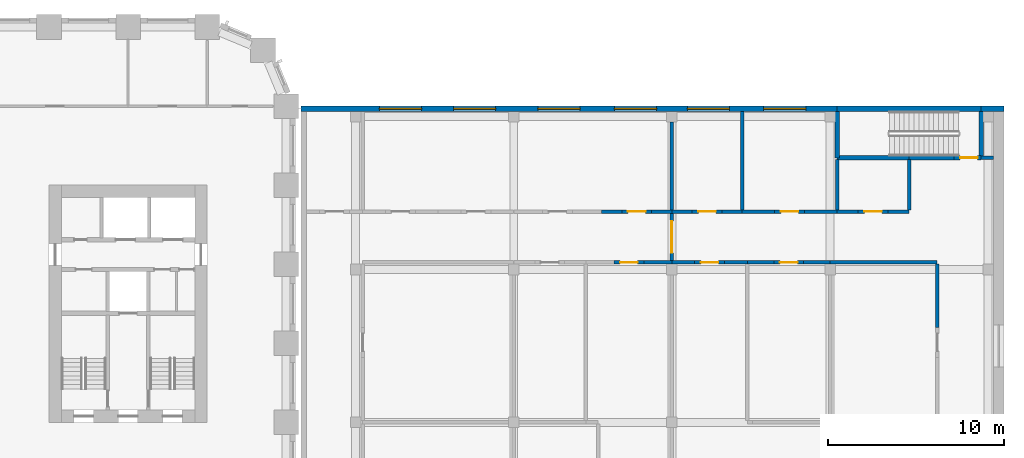
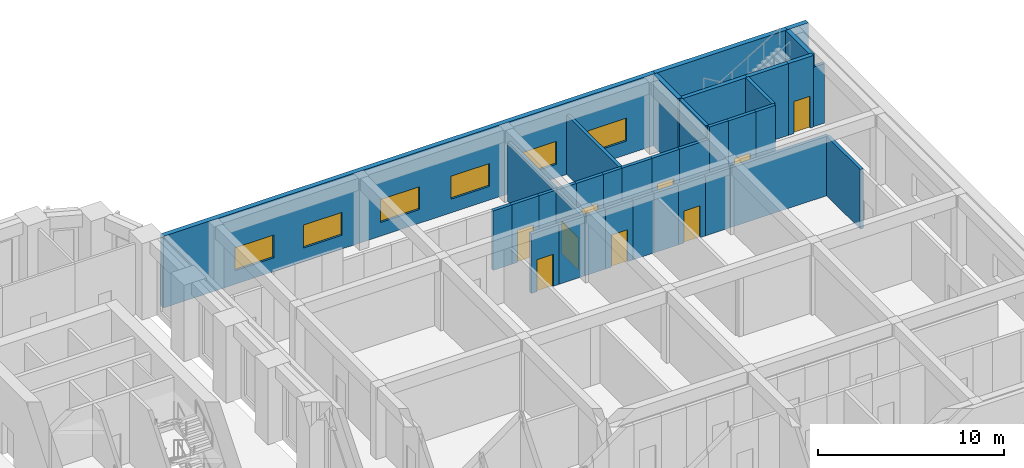
# One storey, part 15 of 24: 36 walls, 9 doors, 6 windows, 15 openings.
"""IFC4 building model written with IfcOpenShell, lengths in metres."""

from ifc_helpers import new_model, si_unit, direction, frame, frame_2d, origin, place, context, subcontext, project, spatial, rectangle, extrude, material, layer, layer_set, type_object, element, fill, save


model = new_model("IFC4")

# Units and contexts
model_context = context("Model", 3, precision=1e-05, world=origin(), true_north=direction((0.0, 1.0)))
body_context = subcontext(model_context, "Body", "Model", "MODEL_VIEW")
ifc_project = project(units=[si_unit("LENGTHUNIT", "METRE"), si_unit("AREAUNIT", "SQUARE_METRE"), si_unit("VOLUMEUNIT", "CUBIC_METRE"), si_unit("PLANEANGLEUNIT", "RADIAN"), si_unit("MASSUNIT", "GRAM", prefix="KILO")], contexts=[model_context])

# Site, building, storey
site_placement = place(None, origin())
site = spatial("IfcSite", under=ifc_project, at=site_placement, CompositionType="ELEMENT")
building_placement = place(site_placement, origin())
building = spatial("IfcBuilding", under=site, at=building_placement, Name="Girih Gate Residences", CompositionType="ELEMENT")
storey_placement = place(building_placement, frame((0.0, 0.0, 11.0)))
storey = spatial("IfcBuildingStorey", under=building, at=storey_placement, Name="L02", CompositionType="ELEMENT", Elevation=11.0)

# Wall, opening, door
ifc_material_1 = material(Name="Fire-rated gypsum partition")
ifc_layer_1 = layer(ifc_material_1, 0.199951171875)
ifc_layer_set_1 = layer_set([ifc_layer_1], Name="HC Corridor wall 200 EI 60")
wall_type_1 = type_object("IfcWallType", Name="HC Corridor wall 200 EI 60", PredefinedType="PARTITIONING", material=ifc_layer_set_1)
wall_1_placement = place(storey_placement, frame((69.85009765625, 36.10009765625, 0.0), z_axis=(0.0, 0.0, 1.0), x_axis=(-1.0, 0.0, 0.0)))
wall_1 = element("IfcWall", 1, at=wall_1_placement, inside=storey, type_object=wall_type_1, Name="L02 wall x36.10/68.2", PredefinedType="PARTITIONING", context=body_context, shape_type="SweptSolid", body=[
    extrude(rectangle(XDim=1.7001953125, YDim=0.199951171875, at=frame_2d((0.85009765625, 0.0))), origin(), (0.0, 0.0, 1.0), 3.89990234375),
])
opening_1_placement = place(wall_1_placement, frame((0.35009765625, 0.0, 0.0)))
opening_1 = element("IfcOpeningElement", 2, at=opening_1_placement, cuts=wall_1, Name="Opening HC-L02-D23", PredefinedType="OPENING", context=body_context, shape_type="SweptSolid", body=[
    extrude(rectangle(XDim=1.0, YDim=2.10009765625, at=frame_2d((0.5, 1.050048828125))), frame((0.0, 0.10986328125, 0.0), z_axis=(0.0, -1.0, 0.0), x_axis=(1.0, 0.0, 0.0)), (0.0, 0.0, 1.0), 0.219970703125),
])
ifc_material_2 = material(Name="Timber door set", Category="wood")
door_type_1 = type_object("IfcDoorType", Name="HC Door 1000x2100 FD30S", OperationType="NOTDEFINED", PredefinedType="DOOR", material=ifc_material_2)
door_1_placement = place(opening_1_placement, origin())
door_1 = element("IfcDoor", 3, at=door_1_placement, inside=storey, type_object=door_type_1, Name="L02 Interview room 2 door", OperationType="SINGLE_SWING_RIGHT", OverallHeight=2.10009765625, OverallWidth=1.0, PredefinedType="DOOR", context=body_context, shape_type="SweptSolid", body=[
    extrude(rectangle(XDim=1.0, YDim=2.10009765625, at=frame_2d((0.5, 1.050048828125))), frame((0.0, 0.02490234375, 0.0), z_axis=(0.0, -1.0, 0.0), x_axis=(1.0, 0.0, 0.0)), (0.0, 0.0, 1.0), 0.050048828125),
])
fill(opening_1, door_1)

# Walls
wall_2_placement = place(storey_placement, frame((69.85009765625, 36.10009765625, 0.0), z_axis=(0.0, 0.0, 1.0), x_axis=(1.0, 0.0, 0.0)))
element("IfcWall", 4, at=wall_2_placement, inside=storey, type_object=wall_type_1, Name="L02 wall x36.10/69.8", PredefinedType="PARTITIONING", context=body_context, shape_type="SweptSolid", body=[
    extrude(rectangle(XDim=1.599853515625, YDim=0.199951171875, at=frame_2d((0.7998046875, 0.0))), origin(), (0.0, 0.0, 1.0), 3.89990234375),
])
wall_3_placement = place(storey_placement, frame((71.449951171875, 36.10009765625, 0.0), z_axis=(0.0, 0.0, 1.0), x_axis=(1.0, 0.0, 0.0)))
element("IfcWall", 5, at=wall_3_placement, inside=storey, type_object=wall_type_1, Name="L02 wall x36.10/71.5", PredefinedType="PARTITIONING", context=body_context, shape_type="SweptSolid", body=[
    extrude(rectangle(XDim=1.300048828125, YDim=0.199951171875, at=frame_2d((0.64990234375, 0.0))), origin(), (0.0, 0.0, 1.0), 3.89990234375),
])

# Wall, opening, door
wall_4_placement = place(storey_placement, frame((74.449951171875, 36.10009765625, 0.0), z_axis=(0.0, 0.0, 1.0), x_axis=(-1.0, 0.0, 0.0)))
wall_4 = element("IfcWall", 6, at=wall_4_placement, inside=storey, type_object=wall_type_1, Name="L02 wall x36.10/72.8", PredefinedType="PARTITIONING", context=body_context, shape_type="SweptSolid", body=[
    extrude(rectangle(XDim=1.699951171875, YDim=0.199951171875, at=frame_2d((0.85009765625, 0.0))), origin(), (0.0, 0.0, 1.0), 3.89990234375),
])
opening_2_placement = place(wall_4_placement, frame((0.35009765625, 0.0, 0.0)))
opening_2 = element("IfcOpeningElement", 7, at=opening_2_placement, cuts=wall_4, Name="Opening HC-L02-D24", PredefinedType="OPENING", context=body_context, shape_type="SweptSolid", body=[
    extrude(rectangle(XDim=1.0, YDim=2.10009765625, at=frame_2d((0.5, 1.050048828125))), frame((0.0, 0.10986328125, 0.0), z_axis=(0.0, -1.0, 0.0), x_axis=(1.0, 0.0, 0.0)), (0.0, 0.0, 1.0), 0.219970703125),
])
door_2_placement = place(opening_2_placement, origin())
door_2 = element("IfcDoor", 8, at=door_2_placement, inside=storey, type_object=door_type_1, Name="L02 Consulting room 8 door", OperationType="SINGLE_SWING_LEFT", OverallHeight=2.10009765625, OverallWidth=1.0, PredefinedType="DOOR", context=body_context, shape_type="SweptSolid", body=[
    extrude(rectangle(XDim=1.0, YDim=2.10009765625, at=frame_2d((0.5, 1.050048828125))), frame((0.0, 0.02490234375, 0.0), z_axis=(0.0, -1.0, 0.0), x_axis=(1.0, 0.0, 0.0)), (0.0, 0.0, 1.0), 0.050048828125),
])
fill(opening_2, door_2)

# Walls
wall_5_placement = place(storey_placement, frame((74.449951171875, 36.10009765625, 0.0), z_axis=(0.0, 0.0, 1.0), x_axis=(1.0, 0.0, 0.0)))
element("IfcWall", 9, at=wall_5_placement, inside=storey, type_object=wall_type_1, Name="L02 wall x36.10/74.4", PredefinedType="PARTITIONING", context=body_context, shape_type="SweptSolid", body=[
    extrude(rectangle(XDim=1.300048828125, YDim=0.199951171875, at=frame_2d((0.64990234375, 0.0))), origin(), (0.0, 0.0, 1.0), 3.89990234375),
])
wall_6_placement = place(storey_placement, frame((75.75, 36.10009765625, 0.0), z_axis=(0.0, 0.0, 1.0), x_axis=(1.0, 0.0, 0.0)))
element("IfcWall", 10, at=wall_6_placement, inside=storey, type_object=wall_type_1, Name="L02 wall x36.10/75.8", PredefinedType="PARTITIONING", context=body_context, shape_type="SweptSolid", body=[
    extrude(rectangle(XDim=1.5, YDim=0.199951171875, at=frame_2d((0.75, 0.0))), origin(), (0.0, 0.0, 1.0), 3.89990234375),
])

# Wall, opening, door
wall_7_placement = place(storey_placement, frame((78.949951171875, 36.10009765625, 0.0), z_axis=(0.0, 0.0, 1.0), x_axis=(-1.0, 0.0, 0.0)))
wall_7 = element("IfcWall", 11, at=wall_7_placement, inside=storey, type_object=wall_type_1, Name="L02 wall x36.10/77.2", PredefinedType="PARTITIONING", context=body_context, shape_type="SweptSolid", body=[
    extrude(rectangle(XDim=1.699951171875, YDim=0.199951171875, at=frame_2d((0.85009765625, 0.0))), origin(), (0.0, 0.0, 1.0), 3.89990234375),
])
opening_3_placement = place(wall_7_placement, frame((0.35009765625, 0.0, 0.0)))
opening_3 = element("IfcOpeningElement", 12, at=opening_3_placement, cuts=wall_7, Name="Opening HC-L02-D25", PredefinedType="OPENING", context=body_context, shape_type="SweptSolid", body=[
    extrude(rectangle(XDim=1.0, YDim=2.10009765625, at=frame_2d((0.5, 1.050048828125))), frame((0.0, 0.10986328125, 0.0), z_axis=(0.0, -1.0, 0.0), x_axis=(1.0, 0.0, 0.0)), (0.0, 0.0, 1.0), 0.219970703125),
])
door_3_placement = place(opening_3_placement, origin())
door_3 = element("IfcDoor", 13, at=door_3_placement, inside=storey, type_object=door_type_1, Name="L02 Dirty utility room door", OperationType="SINGLE_SWING_RIGHT", OverallHeight=2.10009765625, OverallWidth=1.0, PredefinedType="DOOR", context=body_context, shape_type="SweptSolid", body=[
    extrude(rectangle(XDim=1.0, YDim=2.10009765625, at=frame_2d((0.5, 1.050048828125))), frame((0.0, 0.02490234375, 0.0), z_axis=(0.0, -1.0, 0.0), x_axis=(1.0, 0.0, 0.0)), (0.0, 0.0, 1.0), 0.050048828125),
])
fill(opening_3, door_3)

# Walls
wall_8_placement = place(storey_placement, frame((78.949951171875, 36.10009765625, 0.0), z_axis=(0.0, 0.0, 1.0), x_axis=(1.0, 0.0, 0.0)))
element("IfcWall", 14, at=wall_8_placement, inside=storey, type_object=wall_type_1, Name="L02 wall x36.10/78.9", PredefinedType="PARTITIONING", context=body_context, shape_type="SweptSolid", body=[
    extrude(rectangle(XDim=1.5, YDim=0.199951171875, at=frame_2d((0.75, 0.0))), origin(), (0.0, 0.0, 1.0), 3.89990234375),
])
wall_9_placement = place(storey_placement, frame((80.449951171875, 36.10009765625, 0.0), z_axis=(0.0, 0.0, 1.0), x_axis=(1.0, 0.0, 0.0)))
element("IfcWall", 15, at=wall_9_placement, inside=storey, type_object=wall_type_1, Name="L02 wall x36.10/80.5", PredefinedType="PARTITIONING", context=body_context, shape_type="SweptSolid", body=[
    extrude(rectangle(XDim=6.10009765625, YDim=0.199951171875, at=frame_2d((3.050048828125, 0.0))), origin(), (0.0, 0.0, 1.0), 3.89990234375),
])
wall_10_placement = place(storey_placement, frame((67.449951171875, 39.0, 0.0), z_axis=(0.0, 0.0, 1.0), x_axis=(1.0, 0.0, 0.0)))
element("IfcWall", 16, at=wall_10_placement, inside=storey, type_object=wall_type_1, Name="L02 wall x39.00/67.5", PredefinedType="PARTITIONING", context=body_context, shape_type="SweptSolid", body=[
    extrude(rectangle(XDim=1.150146484375, YDim=0.199951171875, at=frame_2d((0.5751953125, 0.0))), origin(), (0.0, 0.0, 1.0), 3.89990234375),
])

# Wall, opening, door
wall_11_placement = place(storey_placement, frame((68.60009765625, 39.0, 0.0), z_axis=(0.0, 0.0, 1.0), x_axis=(1.0, 0.0, 0.0)))
wall_11 = element("IfcWall", 17, at=wall_11_placement, inside=storey, type_object=wall_type_1, Name="L02 wall x39.00/68.6", PredefinedType="PARTITIONING", context=body_context, shape_type="SweptSolid", body=[
    extrude(rectangle(XDim=1.699951171875, YDim=0.199951171875, at=frame_2d((0.85009765625, 0.0))), origin(), (0.0, 0.0, 1.0), 3.89990234375),
])
opening_4_placement = place(wall_11_placement, frame((0.35009765625, 0.0, 0.0)))
opening_4 = element("IfcOpeningElement", 18, at=opening_4_placement, cuts=wall_11, Name="Opening HC-L02-D31", PredefinedType="OPENING", context=body_context, shape_type="SweptSolid", body=[
    extrude(rectangle(XDim=1.0, YDim=2.10009765625, at=frame_2d((0.5, 1.050048828125))), frame((0.0, 0.10986328125, 0.0), z_axis=(0.0, -1.0, 0.0), x_axis=(1.0, 0.0, 0.0)), (0.0, 0.0, 1.0), 0.219970703125),
])
door_4_placement = place(opening_4_placement, origin())
door_4 = element("IfcDoor", 19, at=door_4_placement, inside=storey, type_object=door_type_1, Name="L02 Consulting room 12 door", OperationType="SINGLE_SWING_LEFT", OverallHeight=2.10009765625, OverallWidth=1.0, PredefinedType="DOOR", context=body_context, shape_type="SweptSolid", body=[
    extrude(rectangle(XDim=1.0, YDim=2.10009765625, at=frame_2d((0.5, 1.050048828125))), frame((0.0, 0.02490234375, 0.0), z_axis=(0.0, -1.0, 0.0), x_axis=(1.0, 0.0, 0.0)), (0.0, 0.0, 1.0), 0.050048828125),
])
fill(opening_4, door_4)

# Walls
wall_12_placement = place(storey_placement, frame((70.300048828125, 39.0, 0.0), z_axis=(0.0, 0.0, 1.0), x_axis=(1.0, 0.0, 0.0)))
element("IfcWall", 20, at=wall_12_placement, inside=storey, type_object=wall_type_1, Name="L02 wall x39.00/70.3", PredefinedType="PARTITIONING", context=body_context, shape_type="SweptSolid", body=[
    extrude(rectangle(XDim=1.14990234375, YDim=0.199951171875, at=frame_2d((0.574951171875, 0.0))), origin(), (0.0, 0.0, 1.0), 3.89990234375),
])
wall_13_placement = place(storey_placement, frame((71.449951171875, 39.0, 0.0), z_axis=(0.0, 0.0, 1.0), x_axis=(1.0, 0.0, 0.0)))
element("IfcWall", 21, at=wall_13_placement, inside=storey, type_object=wall_type_1, Name="L02 wall x39.00/71.5", PredefinedType="PARTITIONING", context=body_context, shape_type="SweptSolid", body=[
    extrude(rectangle(XDim=1.150146484375, YDim=0.199951171875, at=frame_2d((0.5751953125, 0.0))), origin(), (0.0, 0.0, 1.0), 3.89990234375),
])

# Wall, opening, door
wall_14_placement = place(storey_placement, frame((72.60009765625, 39.0, 0.0), z_axis=(0.0, 0.0, 1.0), x_axis=(1.0, 0.0, 0.0)))
wall_14 = element("IfcWall", 22, at=wall_14_placement, inside=storey, type_object=wall_type_1, Name="L02 wall x39.00/72.6", PredefinedType="PARTITIONING", context=body_context, shape_type="SweptSolid", body=[
    extrude(rectangle(XDim=1.699951171875, YDim=0.199951171875, at=frame_2d((0.85009765625, 0.0))), origin(), (0.0, 0.0, 1.0), 3.89990234375),
])
opening_5_placement = place(wall_14_placement, frame((0.35009765625, 0.0, 0.0)))
opening_5 = element("IfcOpeningElement", 23, at=opening_5_placement, cuts=wall_14, Name="Opening HC-L02-D32", PredefinedType="OPENING", context=body_context, shape_type="SweptSolid", body=[
    extrude(rectangle(XDim=1.0, YDim=2.10009765625, at=frame_2d((0.5, 1.050048828125))), frame((0.0, 0.10986328125, 0.0), z_axis=(0.0, -1.0, 0.0), x_axis=(1.0, 0.0, 0.0)), (0.0, 0.0, 1.0), 0.219970703125),
])
door_5_placement = place(opening_5_placement, origin())
door_5 = element("IfcDoor", 24, at=door_5_placement, inside=storey, type_object=door_type_1, Name="L02 Interview room 4 door", OperationType="SINGLE_SWING_RIGHT", OverallHeight=2.10009765625, OverallWidth=1.0, PredefinedType="DOOR", context=body_context, shape_type="SweptSolid", body=[
    extrude(rectangle(XDim=1.0, YDim=2.10009765625, at=frame_2d((0.5, 1.050048828125))), frame((0.0, 0.02490234375, 0.0), z_axis=(0.0, -1.0, 0.0), x_axis=(1.0, 0.0, 0.0)), (0.0, 0.0, 1.0), 0.050048828125),
])
fill(opening_5, door_5)

# Walls
wall_15_placement = place(storey_placement, frame((74.300048828125, 39.0, 0.0), z_axis=(0.0, 0.0, 1.0), x_axis=(1.0, 0.0, 0.0)))
element("IfcWall", 25, at=wall_15_placement, inside=storey, type_object=wall_type_1, Name="L02 wall x39.00/74.3", PredefinedType="PARTITIONING", context=body_context, shape_type="SweptSolid", body=[
    extrude(rectangle(XDim=1.14990234375, YDim=0.199951171875, at=frame_2d((0.574951171875, 0.0))), origin(), (0.0, 0.0, 1.0), 3.89990234375),
])
wall_16_placement = place(storey_placement, frame((75.449951171875, 39.0, 0.0), z_axis=(0.0, 0.0, 1.0), x_axis=(1.0, 0.0, 0.0)))
element("IfcWall", 26, at=wall_16_placement, inside=storey, type_object=wall_type_1, Name="L02 wall x39.00/75.5", PredefinedType="PARTITIONING", context=body_context, shape_type="SweptSolid", body=[
    extrude(rectangle(XDim=1.85009765625, YDim=0.199951171875, at=frame_2d((0.925048828125, 0.0))), origin(), (0.0, 0.0, 1.0), 3.89990234375),
])

# Wall, opening, door
wall_17_placement = place(storey_placement, frame((77.300048828125, 39.0, 0.0), z_axis=(0.0, 0.0, 1.0), x_axis=(1.0, 0.0, 0.0)))
wall_17 = element("IfcWall", 27, at=wall_17_placement, inside=storey, type_object=wall_type_1, Name="L02 wall x39.00/77.3", PredefinedType="PARTITIONING", context=body_context, shape_type="SweptSolid", body=[
    extrude(rectangle(XDim=1.699951171875, YDim=0.199951171875, at=frame_2d((0.85009765625, 0.0))), origin(), (0.0, 0.0, 1.0), 3.89990234375),
])
opening_6_placement = place(wall_17_placement, frame((0.35009765625, 0.0, 0.0)))
opening_6 = element("IfcOpeningElement", 28, at=opening_6_placement, cuts=wall_17, Name="Opening HC-L02-D33", PredefinedType="OPENING", context=body_context, shape_type="SweptSolid", body=[
    extrude(rectangle(XDim=1.0, YDim=2.10009765625, at=frame_2d((0.5, 1.050048828125))), frame((0.0, 0.10986328125, 0.0), z_axis=(0.0, -1.0, 0.0), x_axis=(1.0, 0.0, 0.0)), (0.0, 0.0, 1.0), 0.219970703125),
])
door_6_placement = place(opening_6_placement, origin())
door_6 = element("IfcDoor", 29, at=door_6_placement, inside=storey, type_object=door_type_1, Name="L02 Consulting room 13 door", OperationType="SINGLE_SWING_LEFT", OverallHeight=2.10009765625, OverallWidth=1.0, PredefinedType="DOOR", context=body_context, shape_type="SweptSolid", body=[
    extrude(rectangle(XDim=1.0, YDim=2.10009765625, at=frame_2d((0.5, 1.050048828125))), frame((0.0, 0.02490234375, 0.0), z_axis=(0.0, -1.0, 0.0), x_axis=(1.0, 0.0, 0.0)), (0.0, 0.0, 1.0), 0.050048828125),
])
fill(opening_6, door_6)

# Walls
wall_18_placement = place(storey_placement, frame((79.0, 39.0, 0.0), z_axis=(0.0, 0.0, 1.0), x_axis=(1.0, 0.0, 0.0)))
element("IfcWall", 30, at=wall_18_placement, inside=storey, type_object=wall_type_1, Name="L02 wall x39.00/79.0", PredefinedType="PARTITIONING", context=body_context, shape_type="SweptSolid", body=[
    extrude(rectangle(XDim=1.85009765625, YDim=0.199951171875, at=frame_2d((0.925048828125, 0.0))), origin(), (0.0, 0.0, 1.0), 3.89990234375),
])
wall_19_placement = place(storey_placement, frame((80.85009765625, 39.0, 0.0), z_axis=(0.0, 0.0, 1.0), x_axis=(1.0, 0.0, 0.0)))
element("IfcWall", 31, at=wall_19_placement, inside=storey, type_object=wall_type_1, Name="L02 wall x39.00/80.8", PredefinedType="PARTITIONING", context=body_context, shape_type="SweptSolid", body=[
    extrude(rectangle(XDim=1.199951171875, YDim=0.199951171875, at=frame_2d((0.60009765625, 0.0))), origin(), (0.0, 0.0, 1.0), 4.699951171875),
])

# Wall, opening, door
wall_20_placement = place(storey_placement, frame((82.050048828125, 39.0, 0.0), z_axis=(0.0, 0.0, 1.0), x_axis=(1.0, 0.0, 0.0)))
wall_20 = element("IfcWall", 32, at=wall_20_placement, inside=storey, type_object=wall_type_1, Name="L02 wall x39.00/82.1", PredefinedType="PARTITIONING", context=body_context, shape_type="SweptSolid", body=[
    extrude(rectangle(XDim=1.699951171875, YDim=0.199951171875, at=frame_2d((0.85009765625, 0.0))), origin(), (0.0, 0.0, 1.0), 4.699951171875),
])
opening_7_placement = place(wall_20_placement, frame((0.35009765625, 0.0, 0.0)))
opening_7 = element("IfcOpeningElement", 33, at=opening_7_placement, cuts=wall_20, Name="Opening HC-L02-D34", PredefinedType="OPENING", context=body_context, shape_type="SweptSolid", body=[
    extrude(rectangle(XDim=1.0, YDim=2.10009765625, at=frame_2d((0.5, 1.050048828125))), frame((0.0, 0.10986328125, 0.0), z_axis=(0.0, -1.0, 0.0), x_axis=(1.0, 0.0, 0.0)), (0.0, 0.0, 1.0), 0.219970703125),
])
door_7_placement = place(opening_7_placement, origin())
door_7 = element("IfcDoor", 34, at=door_7_placement, inside=storey, type_object=door_type_1, Name="L02 Records store door", OperationType="SINGLE_SWING_RIGHT", OverallHeight=2.10009765625, OverallWidth=1.0, PredefinedType="DOOR", context=body_context, shape_type="SweptSolid", body=[
    extrude(rectangle(XDim=1.0, YDim=2.10009765625, at=frame_2d((0.5, 1.050048828125))), frame((0.0, 0.02490234375, 0.0), z_axis=(0.0, -1.0, 0.0), x_axis=(1.0, 0.0, 0.0)), (0.0, 0.0, 1.0), 0.050048828125),
])
fill(opening_7, door_7)

# Walls
wall_21_placement = place(storey_placement, frame((83.75, 39.0, 0.0), z_axis=(0.0, 0.0, 1.0), x_axis=(1.0, 0.0, 0.0)))
element("IfcWall", 35, at=wall_21_placement, inside=storey, type_object=wall_type_1, Name="L02 wall x39.00/83.8", PredefinedType="PARTITIONING", context=body_context, shape_type="SweptSolid", body=[
    extrude(rectangle(XDim=1.199951171875, YDim=0.199951171875, at=frame_2d((0.60009765625, 0.0))), origin(), (0.0, 0.0, 1.0), 4.699951171875),
])
wall_22_placement = place(storey_placement, frame((89.050048828125, 42.050048828125, 0.0), z_axis=(0.0, 0.0, 1.0), x_axis=(1.0, 0.0, 0.0)))
element("IfcWall", 36, at=wall_22_placement, inside=storey, type_object=wall_type_1, Name="L02 wall x42.05/89.0", PredefinedType="PARTITIONING", context=body_context, shape_type="SweptSolid", body=[
    extrude(rectangle(XDim=0.699951171875, YDim=0.199951171875, at=frame_2d((0.35009765625, 0.0))), origin(), (0.0, 0.0, 1.0), 3.89990234375),
])

# Wall, opening, door
wall_23_placement = place(storey_placement, frame((71.449951171875, 38.89990234375, 0.0), z_axis=(0.0, 0.0, 1.0), x_axis=(0.0, -1.0, 0.0)))
wall_23 = element("IfcWall", 37, at=wall_23_placement, inside=storey, type_object=wall_type_1, Name="L02 wall y71.45/36.2", PredefinedType="PARTITIONING", context=body_context, shape_type="SweptSolid", body=[
    extrude(rectangle(XDim=2.699951171875, YDim=0.199951171875, at=frame_2d((1.35009765625, 0.0))), origin(), (0.0, 0.0, 1.0), 3.89990234375),
])
opening_8_placement = place(wall_23_placement, frame((0.449951171875, 0.0, 0.0)))
opening_8 = element("IfcOpeningElement", 38, at=opening_8_placement, cuts=wall_23, Name="Opening HC-L02-D06", PredefinedType="OPENING", context=body_context, shape_type="SweptSolid", body=[
    extrude(rectangle(XDim=1.800048828125, YDim=2.10009765625, at=frame_2d((0.89990234375, 1.050048828125))), frame((0.0, 0.10986328125, 0.0), z_axis=(0.0, -1.0, 0.0), x_axis=(1.0, 0.0, 0.0)), (0.0, 0.0, 1.0), 0.219970703125),
])
door_type_2 = type_object("IfcDoorType", Name="HC Corridor fire door pair 1800x2100 FD30S", OperationType="NOTDEFINED", PredefinedType="DOOR", material=ifc_material_2)
door_8_placement = place(opening_8_placement, origin())
door_8 = element("IfcDoor", 39, at=door_8_placement, inside=storey, type_object=door_type_2, Name="L02 corridor north fire door pair", OperationType="DOUBLE_DOOR_DOUBLE_SWING", OverallHeight=2.10009765625, OverallWidth=1.800048828125, PredefinedType="DOOR", context=body_context, shape_type="SweptSolid", body=[
    extrude(rectangle(XDim=1.800048828125, YDim=2.10009765625, at=frame_2d((0.89990234375, 1.050048828125))), frame((0.0, 0.02490234375, 0.0), z_axis=(0.0, -1.0, 0.0), x_axis=(1.0, 0.0, 0.0)), (0.0, 0.0, 1.0), 0.050048828125),
])
fill(opening_8, door_8)

# Walls
wall_24_placement = place(storey_placement, frame((84.949951171875, 39.10009765625, 0.0), z_axis=(0.0, 0.0, 1.0), x_axis=(0.0, 1.0, 0.0)))
element("IfcWall", 40, at=wall_24_placement, inside=storey, type_object=wall_type_1, Name="L02 wall y84.95/39.1", PredefinedType="PARTITIONING", context=body_context, shape_type="SweptSolid", body=[
    extrude(rectangle(XDim=2.849853515625, YDim=0.199951171875, at=frame_2d((1.4248046875, 0.0))), origin(), (0.0, 0.0, 1.0), 4.699951171875),
])
wall_25_placement = place(storey_placement, frame((86.550048828125, 32.39990234375, 0.0), z_axis=(0.0, 0.0, 1.0), x_axis=(0.0, 1.0, 0.0)))
element("IfcWall", 41, at=wall_25_placement, inside=storey, type_object=wall_type_1, Name="L02 wall y86.55/32.4", PredefinedType="PARTITIONING", context=body_context, shape_type="SweptSolid", body=[
    extrude(rectangle(XDim=3.60009765625, YDim=0.199951171875, at=frame_2d((1.800048828125, 0.0))), origin(), (0.0, 0.0, 1.0), 3.89990234375),
])

# Wall, openings, windows
ifc_material_3 = material(Name="Precast concrete C40/50", Category="concrete")
ifc_layer_2 = layer(ifc_material_3, 0.300048828125)
ifc_layer_set_2 = layer_set([ifc_layer_2], Name="HC Facade wall 300")
wall_type_2 = type_object("IfcWallType", Name="HC Facade wall 300", PredefinedType="SOLIDWALL", material=ifc_layer_set_2)
wall_26_placement = place(storey_placement, frame((50.35009765625, 44.85009765625, 0.0), z_axis=(0.0, 0.0, 1.0), x_axis=(1.0, 0.0, 0.0)))
wall_26 = element("IfcWall", 42, at=wall_26_placement, inside=storey, type_object=wall_type_2, Name="L02 north facade wall", PredefinedType="SOLIDWALL", context=body_context, shape_type="SweptSolid", body=[
    extrude(rectangle(XDim=30.5, YDim=0.300048828125, at=frame_2d((15.25, 0.0))), origin(), (0.0, 0.0, 1.0), 4.699951171875),
])
opening_9_placement = place(wall_26_placement, frame((4.449951171875, 0.0, 0.89990234375)))
opening_9 = element("IfcOpeningElement", 43, at=opening_9_placement, cuts=wall_26, Name="Opening HC-W-L02-N01", PredefinedType="OPENING", context=body_context, shape_type="SweptSolid", body=[
    extrude(rectangle(XDim=2.39990234375, YDim=1.5, at=frame_2d((1.199951171875, 0.75))), frame((0.0, 0.159912109375, 0.0), z_axis=(0.0, -1.0, 0.0), x_axis=(1.0, 0.0, 0.0)), (0.0, 0.0, 1.0), 0.320068359375),
])
opening_10_placement = place(wall_26_placement, frame((8.675048828125, 0.0, 0.89990234375)))
opening_10 = element("IfcOpeningElement", 44, at=opening_10_placement, cuts=wall_26, Name="Opening HC-W-L02-N02", PredefinedType="OPENING", context=body_context, shape_type="SweptSolid", body=[
    extrude(rectangle(XDim=2.39990234375, YDim=1.5, at=frame_2d((1.199951171875, 0.75))), frame((0.0, 0.159912109375, 0.0), z_axis=(0.0, -1.0, 0.0), x_axis=(1.0, 0.0, 0.0)), (0.0, 0.0, 1.0), 0.320068359375),
])
opening_11_placement = place(wall_26_placement, frame((13.47509765625, 0.0, 0.89990234375)))
opening_11 = element("IfcOpeningElement", 45, at=opening_11_placement, cuts=wall_26, Name="Opening HC-W-L02-N03", PredefinedType="OPENING", context=body_context, shape_type="SweptSolid", body=[
    extrude(rectangle(XDim=2.39990234375, YDim=1.5, at=frame_2d((1.199951171875, 0.75))), frame((0.0, 0.159912109375, 0.0), z_axis=(0.0, -1.0, 0.0), x_axis=(1.0, 0.0, 0.0)), (0.0, 0.0, 1.0), 0.320068359375),
])
opening_12_placement = place(wall_26_placement, frame((17.824951171875, 0.0, 0.89990234375)))
opening_12 = element("IfcOpeningElement", 46, at=opening_12_placement, cuts=wall_26, Name="Opening HC-W-L02-N04", PredefinedType="OPENING", context=body_context, shape_type="SweptSolid", body=[
    extrude(rectangle(XDim=2.39990234375, YDim=1.5, at=frame_2d((1.199951171875, 0.75))), frame((0.0, 0.159912109375, 0.0), z_axis=(0.0, -1.0, 0.0), x_axis=(1.0, 0.0, 0.0)), (0.0, 0.0, 1.0), 0.320068359375),
])
opening_13_placement = place(wall_26_placement, frame((21.97509765625, 0.0, 0.89990234375)))
opening_13 = element("IfcOpeningElement", 47, at=opening_13_placement, cuts=wall_26, Name="Opening HC-W-L02-N05", PredefinedType="OPENING", context=body_context, shape_type="SweptSolid", body=[
    extrude(rectangle(XDim=2.39990234375, YDim=1.5, at=frame_2d((1.199951171875, 0.75))), frame((0.0, 0.159912109375, 0.0), z_axis=(0.0, -1.0, 0.0), x_axis=(1.0, 0.0, 0.0)), (0.0, 0.0, 1.0), 0.320068359375),
])
opening_14_placement = place(wall_26_placement, frame((26.324951171875, 0.0, 0.89990234375)))
opening_14 = element("IfcOpeningElement", 48, at=opening_14_placement, cuts=wall_26, Name="Opening HC-W-L02-N06", PredefinedType="OPENING", context=body_context, shape_type="SweptSolid", body=[
    extrude(rectangle(XDim=2.39990234375, YDim=1.5, at=frame_2d((1.199951171875, 0.75))), frame((0.0, 0.159912109375, 0.0), z_axis=(0.0, -1.0, 0.0), x_axis=(1.0, 0.0, 0.0)), (0.0, 0.0, 1.0), 0.320068359375),
])
ifc_material_4 = material(Name="Aluminium framed glazing", Category="aluminium")
window_type = type_object("IfcWindowType", Name="HC Window W-4 2400x1500", PartitioningType="DOUBLE_PANEL_VERTICAL", PredefinedType="WINDOW", material=ifc_material_4)
window_1_placement = place(opening_9_placement, origin())
window_1 = element("IfcWindow", 49, at=window_1_placement, inside=storey, type_object=window_type, Name="L02 north window 1", OverallHeight=1.5, OverallWidth=2.39990234375, PartitioningType="DOUBLE_PANEL_VERTICAL", PredefinedType="WINDOW", context=body_context, shape_type="SweptSolid", body=[
    extrude(rectangle(XDim=2.39990234375, YDim=1.5, at=frame_2d((1.199951171875, 0.75))), frame((0.0, 0.030029296875, 0.0), z_axis=(0.0, -1.0, 0.0), x_axis=(1.0, 0.0, 0.0)), (0.0, 0.0, 1.0), 0.06005859375),
])
fill(opening_9, window_1)
window_2_placement = place(opening_10_placement, origin())
window_2 = element("IfcWindow", 50, at=window_2_placement, inside=storey, type_object=window_type, Name="L02 north window 2", OverallHeight=1.5, OverallWidth=2.39990234375, PartitioningType="DOUBLE_PANEL_VERTICAL", PredefinedType="WINDOW", context=body_context, shape_type="SweptSolid", body=[
    extrude(rectangle(XDim=2.39990234375, YDim=1.5, at=frame_2d((1.199951171875, 0.75))), frame((0.0, 0.030029296875, 0.0), z_axis=(0.0, -1.0, 0.0), x_axis=(1.0, 0.0, 0.0)), (0.0, 0.0, 1.0), 0.06005859375),
])
fill(opening_10, window_2)
window_3_placement = place(opening_11_placement, origin())
window_3 = element("IfcWindow", 51, at=window_3_placement, inside=storey, type_object=window_type, Name="L02 north window 3", OverallHeight=1.5, OverallWidth=2.39990234375, PartitioningType="DOUBLE_PANEL_VERTICAL", PredefinedType="WINDOW", context=body_context, shape_type="SweptSolid", body=[
    extrude(rectangle(XDim=2.39990234375, YDim=1.5, at=frame_2d((1.199951171875, 0.75))), frame((0.0, 0.030029296875, 0.0), z_axis=(0.0, -1.0, 0.0), x_axis=(1.0, 0.0, 0.0)), (0.0, 0.0, 1.0), 0.06005859375),
])
fill(opening_11, window_3)
window_4_placement = place(opening_12_placement, origin())
window_4 = element("IfcWindow", 52, at=window_4_placement, inside=storey, type_object=window_type, Name="L02 north window 4", OverallHeight=1.5, OverallWidth=2.39990234375, PartitioningType="DOUBLE_PANEL_VERTICAL", PredefinedType="WINDOW", context=body_context, shape_type="SweptSolid", body=[
    extrude(rectangle(XDim=2.39990234375, YDim=1.5, at=frame_2d((1.199951171875, 0.75))), frame((0.0, 0.030029296875, 0.0), z_axis=(0.0, -1.0, 0.0), x_axis=(1.0, 0.0, 0.0)), (0.0, 0.0, 1.0), 0.06005859375),
])
fill(opening_12, window_4)
window_5_placement = place(opening_13_placement, origin())
window_5 = element("IfcWindow", 53, at=window_5_placement, inside=storey, type_object=window_type, Name="L02 north window 5", OverallHeight=1.5, OverallWidth=2.39990234375, PartitioningType="DOUBLE_PANEL_VERTICAL", PredefinedType="WINDOW", context=body_context, shape_type="SweptSolid", body=[
    extrude(rectangle(XDim=2.39990234375, YDim=1.5, at=frame_2d((1.199951171875, 0.75))), frame((0.0, 0.030029296875, 0.0), z_axis=(0.0, -1.0, 0.0), x_axis=(1.0, 0.0, 0.0)), (0.0, 0.0, 1.0), 0.06005859375),
])
fill(opening_13, window_5)
window_6_placement = place(opening_14_placement, origin())
window_6 = element("IfcWindow", 54, at=window_6_placement, inside=storey, type_object=window_type, Name="L02 north window 6", OverallHeight=1.5, OverallWidth=2.39990234375, PartitioningType="DOUBLE_PANEL_VERTICAL", PredefinedType="WINDOW", context=body_context, shape_type="SweptSolid", body=[
    extrude(rectangle(XDim=2.39990234375, YDim=1.5, at=frame_2d((1.199951171875, 0.75))), frame((0.0, 0.030029296875, 0.0), z_axis=(0.0, -1.0, 0.0), x_axis=(1.0, 0.0, 0.0)), (0.0, 0.0, 1.0), 0.06005859375),
])
fill(opening_14, window_6)

# Walls
wall_27_placement = place(storey_placement, frame((89.050048828125, 44.85009765625, 0.0), z_axis=(0.0, 0.0, 1.0), x_axis=(1.0, 0.0, 0.0)))
element("IfcWall", 55, at=wall_27_placement, inside=storey, type_object=wall_type_2, Name="L02 north facade wall", PredefinedType="SOLIDWALL", context=body_context, shape_type="SweptSolid", body=[
    extrude(rectangle(XDim=1.300048828125, YDim=0.300048828125, at=frame_2d((0.64990234375, 0.0))), origin(), (0.0, 0.0, 1.0), 4.699951171875),
])
ifc_material_5 = material(Name="Gypsum partition")
ifc_layer_3 = layer(ifc_material_5, 0.199951171875)
ifc_layer_set_3 = layer_set([ifc_layer_3], Name="HC Room partition 200 EI 30")
wall_type_3 = type_object("IfcWallType", Name="HC Room partition 200 EI 30", PredefinedType="PARTITIONING", material=ifc_layer_set_3)
wall_28_placement = place(storey_placement, frame((71.449951171875, 39.10009765625, 0.0), z_axis=(0.0, 0.0, 1.0), x_axis=(0.0, 1.0, 0.0)))
element("IfcWall", 56, at=wall_28_placement, inside=storey, type_object=wall_type_3, Name="L02 wall y71.45/39.1", PredefinedType="PARTITIONING", context=body_context, shape_type="SweptSolid", body=[
    extrude(rectangle(XDim=5.0, YDim=0.199951171875, at=frame_2d((2.5, 0.0))), origin(), (0.0, 0.0, 1.0), 3.89990234375),
])
wall_29_placement = place(storey_placement, frame((75.449951171875, 39.10009765625, 0.0), z_axis=(0.0, 0.0, 1.0), x_axis=(0.0, 1.0, 0.0)))
element("IfcWall", 57, at=wall_29_placement, inside=storey, type_object=wall_type_3, Name="L02 wall y75.45/39.1", PredefinedType="PARTITIONING", context=body_context, shape_type="SweptSolid", body=[
    extrude(rectangle(XDim=5.599853515625, YDim=0.199951171875, at=frame_2d((2.7998046875, 0.0))), origin(), (0.0, 0.0, 1.0), 3.89990234375),
])
wall_30_placement = place(storey_placement, frame((80.85009765625, 39.10009765625, 0.0), z_axis=(0.0, 0.0, 1.0), x_axis=(0.0, 1.0, 0.0)))
element("IfcWall", 58, at=wall_30_placement, inside=storey, type_object=wall_type_3, Name="L02 wall y80.85/39.1", PredefinedType="PARTITIONING", context=body_context, shape_type="SweptSolid", body=[
    extrude(rectangle(XDim=2.849853515625, YDim=0.199951171875, at=frame_2d((1.4248046875, 0.0))), origin(), (0.0, 0.0, 1.0), 4.699951171875),
])
ifc_material_6 = material(Name="Concrete C40/50", Category="concrete")
ifc_layer_4 = layer(ifc_material_6, 0.25)
ifc_layer_set_4 = layer_set([ifc_layer_4], Name="HC Shaft wall 250 C40/50")
wall_type_4 = type_object("IfcWallType", Name="HC Shaft wall 250 C40/50", PredefinedType="SHEAR", material=ifc_layer_set_4)
wall_31_placement = place(storey_placement, frame((80.85009765625, 42.050048828125, 0.0), z_axis=(0.0, 0.0, 1.0), x_axis=(1.0, 0.0, 0.0)))
element("IfcWall", 59, at=wall_31_placement, inside=storey, type_object=wall_type_4, Name="L02 wall x42.05/80.8", PredefinedType="SHEAR", context=body_context, shape_type="SweptSolid", body=[
    extrude(rectangle(XDim=4.099853515625, YDim=0.25, at=frame_2d((2.0498046875, 0.0))), origin(), (0.0, 0.0, 1.0), 4.699951171875),
])
wall_32_placement = place(storey_placement, frame((84.949951171875, 42.050048828125, 0.0), z_axis=(0.0, 0.0, 1.0), x_axis=(1.0, 0.0, 0.0)))
element("IfcWall", 60, at=wall_32_placement, inside=storey, type_object=wall_type_4, Name="L02 wall x42.05/85.0", PredefinedType="SHEAR", context=body_context, shape_type="SweptSolid", body=[
    extrude(rectangle(XDim=2.550048828125, YDim=0.25, at=frame_2d((1.27490234375, 0.0))), origin(), (0.0, 0.0, 1.0), 4.699951171875),
])

# Wall, opening, door
wall_33_placement = place(storey_placement, frame((89.050048828125, 42.050048828125, 0.0), z_axis=(0.0, 0.0, 1.0), x_axis=(-1.0, 0.0, 0.0)))
wall_33 = element("IfcWall", 61, at=wall_33_placement, inside=storey, type_object=wall_type_4, Name="L02 wall x42.05/87.5", PredefinedType="SHEAR", context=body_context, shape_type="SweptSolid", body=[
    extrude(rectangle(XDim=1.550048828125, YDim=0.25, at=frame_2d((0.77490234375, 0.0))), origin(), (0.0, 0.0, 1.0), 4.699951171875),
])
opening_15_placement = place(wall_33_placement, frame((0.199951171875, 0.0, 0.0)))
opening_15 = element("IfcOpeningElement", 62, at=opening_15_placement, cuts=wall_33, Name="Opening HC-L02-D02", PredefinedType="OPENING", context=body_context, shape_type="SweptSolid", body=[
    extrude(rectangle(XDim=1.0, YDim=2.10009765625, at=frame_2d((0.5, 1.050048828125))), frame((0.0, 0.135009765625, 0.0), z_axis=(0.0, -1.0, 0.0), x_axis=(1.0, 0.0, 0.0)), (0.0, 0.0, 1.0), 0.27001953125),
])
ifc_material_7 = material(Name="Steel door set", Category="steel")
door_type_3 = type_object("IfcDoorType", Name="HC Stair door 1000x2100 FD60", OperationType="NOTDEFINED", PredefinedType="DOOR", material=ifc_material_7)
door_9_placement = place(opening_15_placement, origin())
door_9 = element("IfcDoor", 63, at=door_9_placement, inside=storey, type_object=door_type_3, Name="L02 Stair B door", OperationType="SINGLE_SWING_LEFT", OverallHeight=2.10009765625, OverallWidth=1.0, PredefinedType="DOOR", context=body_context, shape_type="SweptSolid", body=[
    extrude(rectangle(XDim=1.0, YDim=2.10009765625, at=frame_2d((0.5, 1.050048828125))), frame((0.0, 0.02490234375, 0.0), z_axis=(0.0, -1.0, 0.0), x_axis=(1.0, 0.0, 0.0)), (0.0, 0.0, 1.0), 0.050048828125),
])
fill(opening_15, door_9)

# Walls
for number, where, z_axis, x_axis, name in (
    (64, (80.85009765625, 42.050048828125, 0.0), (0.0, 0.0, 1.0), (0.0, 1.0, 0.0), "L02 wall y80.85/42.0"),
    (65, (89.050048828125, 42.050048828125, 0.0), (0.0, 0.0, 1.0), (0.0, 1.0, 0.0), "L02 wall y89.05/42.0"),
):
    element("IfcWall", number, at=place(storey_placement, frame(where, z_axis=z_axis, x_axis=x_axis)), inside=storey, type_object=wall_type_4, Name=name, PredefinedType="SHEAR", context=body_context, shape_type="SweptSolid", body=[
        extrude(rectangle(XDim=2.64990234375, YDim=0.25, at=frame_2d((1.324951171875, 0.0))), origin(), (0.0, 0.0, 1.0), 4.699951171875),
    ])
ifc_layer_5 = layer(ifc_material_3, 0.300048828125)
ifc_layer_set_5 = layer_set([ifc_layer_5], Name="HC Stair shaft facade wall 300")
wall_type_5 = type_object("IfcWallType", Name="HC Stair shaft facade wall 300", PredefinedType="SHEAR", material=ifc_layer_set_5)
wall_34_placement = place(storey_placement, frame((80.85009765625, 44.85009765625, 0.0), z_axis=(0.0, 0.0, 1.0), x_axis=(1.0, 0.0, 0.0)))
element("IfcWall", 66, at=wall_34_placement, inside=storey, type_object=wall_type_5, Name="L02 north facade wall over stair B", PredefinedType="SHEAR", context=body_context, shape_type="SweptSolid", body=[
    extrude(rectangle(XDim=8.199951171875, YDim=0.300048828125, at=frame_2d((4.10009765625, 0.0))), origin(), (0.0, 0.0, 1.0), 4.699951171875),
])

save(model, "model.ifc")
